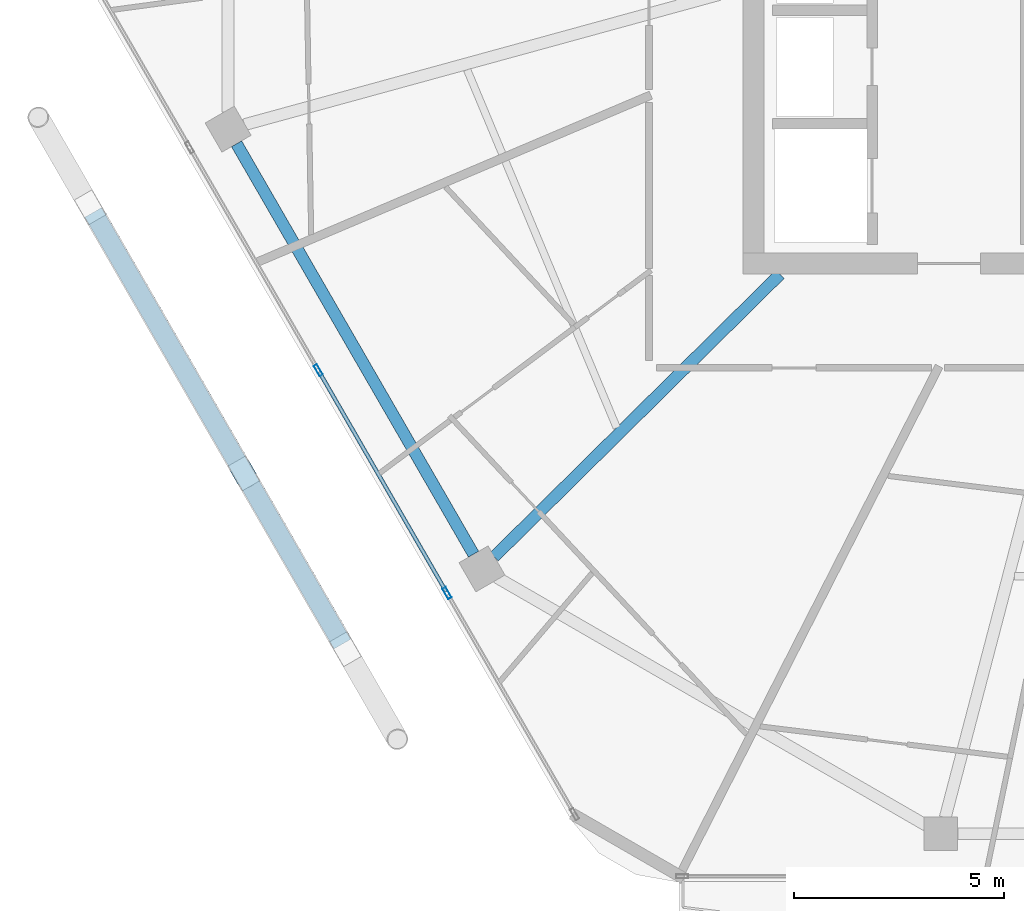
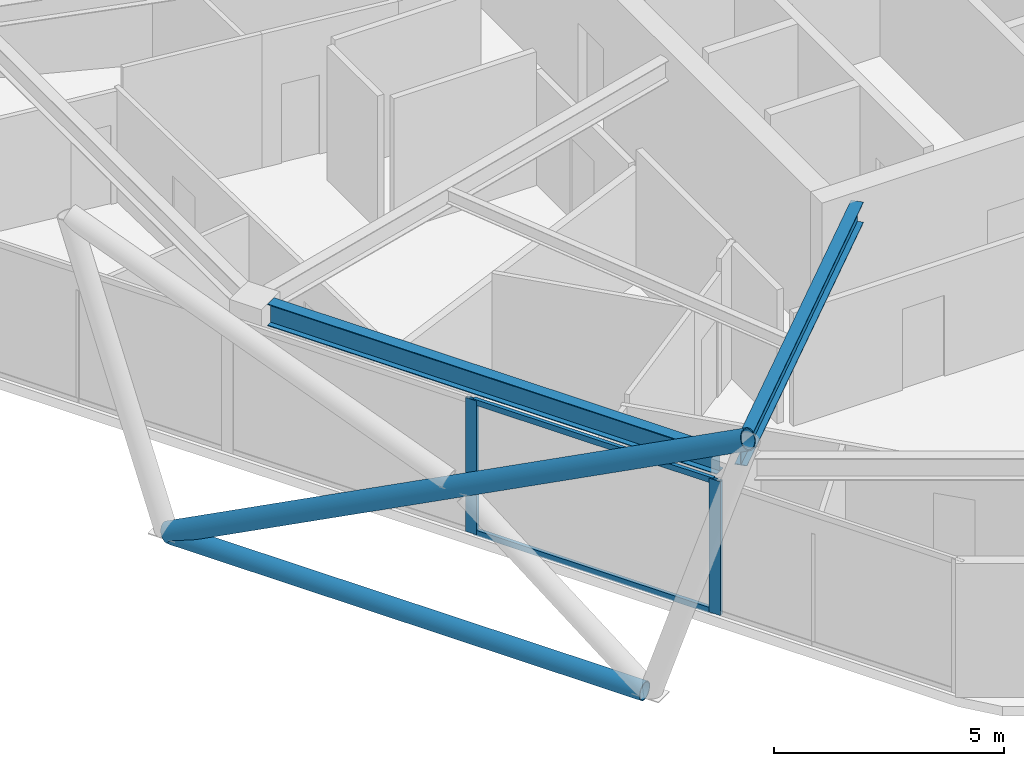
# One storey, part 3 of 23: 6 members, 2 beams, 1 element without a shape of its own.
"""IFC4 building model written with IfcOpenShell, lengths in metres."""

from ifc_helpers import new_model, si_unit, direction, frame, origin, origin_2d, place, context, subcontext, project, spatial, hollow_rectangle, hollow_circle, i_section, extrude, material, material_profile, profile_set, type_object, element, aggregate, save


model = new_model("IFC4")

# Units and contexts
model_context = context("Model", 3, precision=1e-05, world=origin(), true_north=direction((0.0, 1.0)))
body_context = subcontext(model_context, "Body", "Model", "MODEL_VIEW")
ifc_project = project(units=[si_unit("LENGTHUNIT", "METRE"), si_unit("AREAUNIT", "SQUARE_METRE"), si_unit("VOLUMEUNIT", "CUBIC_METRE"), si_unit("PLANEANGLEUNIT", "RADIAN"), si_unit("MASSUNIT", "GRAM", prefix="KILO")], contexts=[model_context])

# Site, building, storey
site_placement = place(None, origin())
site = spatial("IfcSite", under=ifc_project, at=site_placement, CompositionType="ELEMENT")
building_placement = place(site_placement, origin())
building = spatial("IfcBuilding", under=site, at=building_placement, Name="Zuhravey Tower", CompositionType="ELEMENT")
storey_placement = place(building_placement, frame((0.0, 0.0, 323.39990234375)))
storey = spatial("IfcBuildingStorey", under=building, at=storey_placement, Name="L82", CompositionType="ELEMENT", Elevation=323.39990234375)

# Curtain wall, members
ifc_material_1 = material(Name="Thermally broken anodised aluminium", Category="aluminium")
curtain_wall_type = type_object("IfcCurtainWallType", Name="Zone 3-4 High-Rise Curtain Wall CW4", PredefinedType="NOTDEFINED", material=ifc_material_1)
curtain_wall_placement = place(storey_placement, origin())
curtain_wall = element("IfcCurtainWall", 1, at=curtain_wall_placement, inside=storey, type_object=curtain_wall_type, Name="L82 CW4 CW-L82-F4-1", PredefinedType="NOTDEFINED")
ifc_material_2 = material(Name="Anodised aluminium", Category="aluminium")
ifc_material_profile_1 = material_profile(ifc_material_2, hollow_rectangle(XDim=0.090087890625, YDim=0.284912109375, WallThickness=0.0048828125, at=origin_2d()), Name="ALU-RHS-90x285x5")
ifc_profile_set_1 = profile_set([ifc_material_profile_1], Name="Anodised aluminium")
member_type_1 = type_object("IfcMemberType", Name="Curtain-Wall Mullion 90x180", PredefinedType="MULLION", material=ifc_profile_set_1)
member_1_placement = place(storey_placement, frame((18.211181640625, 14.6630859375, 0.0), z_axis=(0.0, 0.0, 1.0), x_axis=(-0.866025511541, -0.49999981336, 0.0)))
member_1 = element("IfcMember", 2, at=member_1_placement, type_object=member_type_1, Name="CW4 mullion 2", PredefinedType="MULLION", context=body_context, shape_type="SweptSolid", body=[
    extrude(hollow_rectangle(XDim=0.090087890625, YDim=0.284912109375, WallThickness=0.0048828125, at=origin_2d()), origin(), (0.0, 0.0, 1.0), 3.550048828125),
])
member_2_placement = place(storey_placement, frame((15.1513671875, 19.962890625, 0.0), z_axis=(0.0, 0.0, 1.0), x_axis=(-0.866025511541, -0.49999981336, 0.0)))
member_2 = element("IfcMember", 3, at=member_2_placement, type_object=member_type_1, Name="CW4 mullion 3", PredefinedType="MULLION", context=body_context, shape_type="SweptSolid", body=[
    extrude(hollow_rectangle(XDim=0.090087890625, YDim=0.284912109375, WallThickness=0.0048828125, at=origin_2d()), origin(), (0.0, 0.0, 1.0), 3.550048828125),
])
ifc_material_profile_2 = material_profile(ifc_material_2, hollow_rectangle(XDim=0.090087890625, YDim=0.14990234375, WallThickness=0.0048828125, at=origin_2d()), Name="ALU-RHS-90x150x5")
ifc_profile_set_2 = profile_set([ifc_material_profile_2], Name="Anodised aluminium")
member_type_2 = type_object("IfcMemberType", Name="Curtain-Wall Transom 90x150", PredefinedType="USERDEFINED", material=ifc_profile_set_2)
member_3_placement = place(storey_placement, frame((18.1884765625, 14.7021484375, 0.045166015625), z_axis=(-0.499971305196, 0.866041970103, 0.0), x_axis=(-0.866041970103, -0.499971305196, 0.0)))
member_3 = element("IfcMember", 4, at=member_3_placement, type_object=member_type_2, Name="CW4 transom 2.1", ObjectType="TRANSOM", PredefinedType="USERDEFINED", context=body_context, shape_type="SweptSolid", body=[
    extrude(hollow_rectangle(XDim=0.090087890625, YDim=0.14990234375, WallThickness=0.0048828125, at=origin_2d()), origin(), (0.0, 0.0, 1.0), 6.029541015625),
])
member_4_placement = place(storey_placement, frame((18.1884765625, 14.7021484375, 3.505126953125), z_axis=(-0.499971305196, 0.866041970103, 0.0), x_axis=(-0.866041970103, -0.499971305196, 0.0)))
member_4 = element("IfcMember", 5, at=member_4_placement, type_object=member_type_2, Name="CW4 transom 2.2", ObjectType="TRANSOM", PredefinedType="USERDEFINED", context=body_context, shape_type="SweptSolid", body=[
    extrude(hollow_rectangle(XDim=0.090087890625, YDim=0.14990234375, WallThickness=0.0048828125, at=origin_2d()), origin(), (0.0, 0.0, 1.0), 6.029541015625),
])
aggregate(curtain_wall, [member_1, member_2, member_3, member_4])

# Members
ifc_material_3 = material(Name="Steel SM355", Category="steel")
ifc_material_profile_3 = material_profile(ifc_material_3, hollow_circle(Radius=0.228515625, WallThickness=0.02197265625, at=origin_2d()), Name="CHS-457.2x22")
ifc_profile_set_3 = profile_set([ifc_material_profile_3], Name="Steel SM355")
member_type_3 = type_object("IfcMemberType", Name="Exoskeleton Ring Tie CHS457x22", PredefinedType="CHORD", material=ifc_profile_set_3)
member_5_placement = place(storey_placement, frame((9.79736328125, 23.71630859375, -0.4638671875), z_axis=(0.499988670204, -0.866031944946, 0.0), x_axis=(0.866031944946, 0.499988670204, 0.0)))
element("IfcMember", 6, at=member_5_placement, inside=storey, type_object=member_type_3, Name="L82 Exoskeleton Face 4 Tie EXR1", PredefinedType="CHORD", context=body_context, shape_type="SweptSolid", body=[
    extrude(hollow_circle(Radius=0.228515625, WallThickness=0.02197265625, at=origin_2d()), origin(), (0.0, 0.0, 1.0), 11.854736328125),
])
ifc_material_profile_4 = material_profile(ifc_material_3, hollow_circle(Radius=0.25390625, WallThickness=0.02490234375, at=origin_2d()), Name="CHS-508.0x25")
ifc_profile_set_4 = profile_set([ifc_material_profile_4], Name="Steel SM355")
member_type_4 = type_object("IfcMemberType", Name="Exoskeleton Zone 4 Diagrid CHS508x25", PredefinedType="BRACE", material=ifc_profile_set_4)
member_6_placement = place(storey_placement, frame((9.74267578125, 23.810791015625, -0.447998046875), z_axis=(0.443626032457, -0.768361478759, 0.461320475684), x_axis=(0.866019388108, 0.500010419312, 0.0)))
element("IfcMember", 7, at=member_6_placement, inside=storey, type_object=member_type_4, Name="L82 Face 4 Diagrid Brace 2", PredefinedType="BRACE", context=body_context, shape_type="SweptSolid", body=[
    extrude(hollow_circle(Radius=0.25390625, WallThickness=0.02490234375, at=origin_2d()), origin(), (0.0, 0.0, 1.0), 16.4052734375),
])

# Beams
ifc_material_profile_5 = material_profile(ifc_material_3, i_section(OverallWidth=0.280029296875, OverallDepth=0.580078125, WebThickness=0.011962890625, FlangeThickness=0.01904296875, at=origin_2d()), Name="H-580x280x12x19")
ifc_profile_set_5 = profile_set([ifc_material_profile_5], Name="Steel SM355")
beam_type_1 = type_object("IfcBeamType", Name="Perimeter Ring Beam H580x280", PredefinedType="BEAM", material=ifc_profile_set_5)
beam_1_placement = place(storey_placement, frame((13.2080078125, 25.3486328125, 3.260009765625), z_axis=(0.500006198144, -0.866021825255, 0.0), x_axis=(0.866021825255, 0.500006198144, 0.0)))
element("IfcBeam", 8, at=beam_1_placement, inside=storey, type_object=beam_type_1, Name="L82 PB4 BM-L82-PB-07", PredefinedType="BEAM", context=body_context, shape_type="SweptSolid", body=[
    extrude(i_section(OverallWidth=0.280029296875, OverallDepth=0.580078125, WebThickness=0.011962890625, FlangeThickness=0.01904296875, at=origin_2d()), origin(), (0.0, 0.0, 1.0), 11.271240234375),
])
ifc_material_profile_6 = material_profile(ifc_material_3, i_section(OverallWidth=0.280029296875, OverallDepth=0.550048828125, WebThickness=0.010986328125, FlangeThickness=0.01806640625, at=origin_2d()), Name="H-550x280x11x18")
ifc_profile_set_6 = profile_set([ifc_material_profile_6], Name="Steel SM355")
beam_type_2 = type_object("IfcBeamType", Name="Radial Primary Girder H550x280", PredefinedType="BEAM", material=ifc_profile_set_6)
beam_2_placement = place(storey_placement, frame((26.134765625, 22.2470703125, 3.275146484375), z_axis=(-0.711153035666, -0.703037239314, 0.0), x_axis=(0.703037239314, -0.711153035666, 0.0)))
element("IfcBeam", 9, at=beam_2_placement, inside=storey, type_object=beam_type_2, Name="L82 RG4 BM-L82-RAD-08", PredefinedType="BEAM", context=body_context, shape_type="SweptSolid", body=[
    extrude(i_section(OverallWidth=0.280029296875, OverallDepth=0.550048828125, WebThickness=0.010986328125, FlangeThickness=0.01806640625, at=origin_2d()), origin(), (0.0, 0.0, 1.0), 9.566162109375),
])

save(model, "model.ifc")
